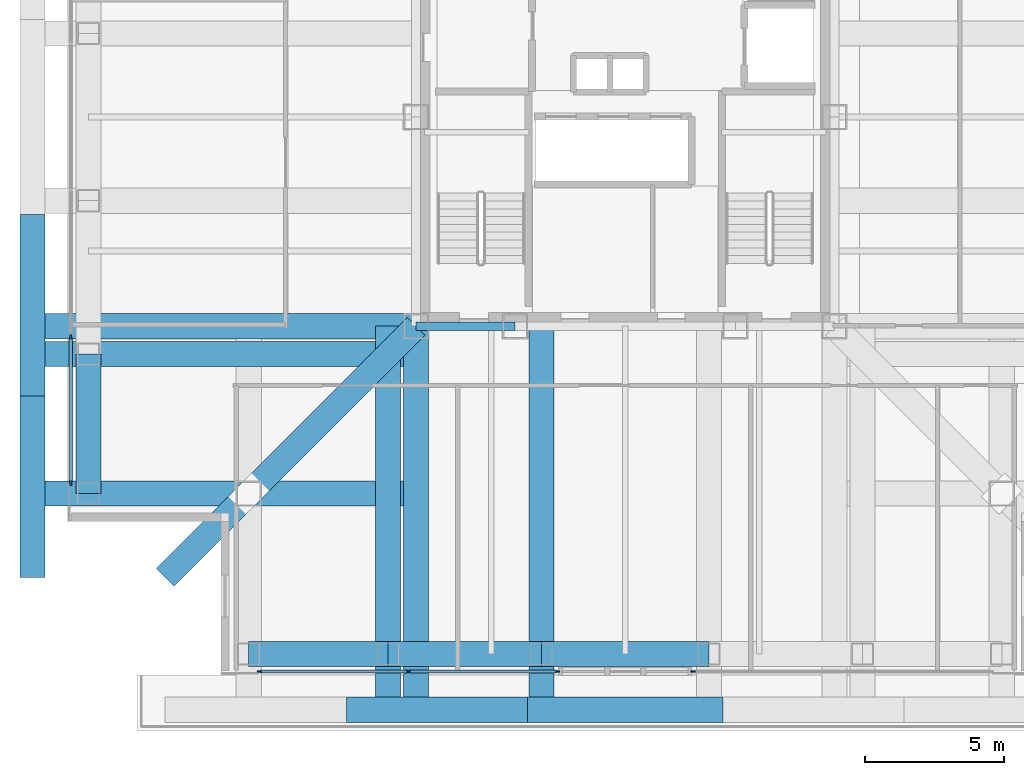
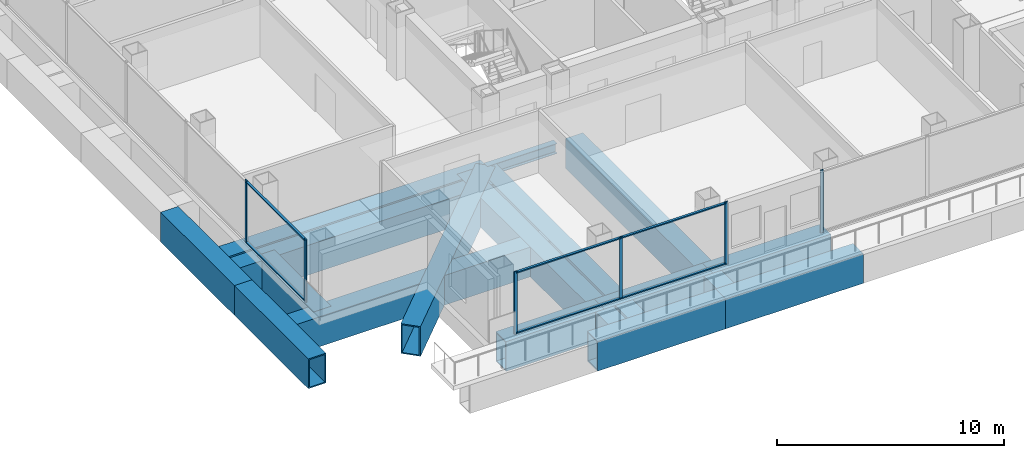
# One storey, part 2 of 14: 16 beams, 12 members, 3 elements without a shape of their own.
"""IFC4 building model written with IfcOpenShell, lengths in metres."""

from ifc_helpers import new_model, si_unit, direction, frame, origin, origin_2d, place, context, subcontext, project, spatial, rectangle, hollow_rectangle, i_section, extrude, material, layer, layer_set, material_profile, profile_set, type_object, element, aggregate, save


model = new_model("IFC4")

# Units and contexts
model_context = context("Model", 3, precision=1e-05, world=origin(), true_north=direction((0.0, 1.0)))
body_context = subcontext(model_context, "Body", "Model", "MODEL_VIEW")
ifc_project = project(units=[si_unit("LENGTHUNIT", "METRE"), si_unit("AREAUNIT", "SQUARE_METRE"), si_unit("VOLUMEUNIT", "CUBIC_METRE"), si_unit("PLANEANGLEUNIT", "RADIAN"), si_unit("MASSUNIT", "GRAM", prefix="KILO")], contexts=[model_context])

# Site, building, storey
site_placement = place(None, origin())
site = spatial("IfcSite", under=ifc_project, at=site_placement, CompositionType="ELEMENT")
building_placement = place(site_placement, origin())
building = spatial("IfcBuilding", under=site, at=building_placement, Name="Trevonay Congress Spire", CompositionType="ELEMENT")
storey_placement = place(building_placement, frame((0.0, 0.0, 166.199951171875)))
storey = spatial("IfcBuildingStorey", under=building, at=storey_placement, Name="L42", CompositionType="ELEMENT", Elevation=166.199951171875)

# Beams
ifc_material_1 = material(Name="Steel ASTM A572 Grade 50", Category="steel")
ifc_material_profile_1 = material_profile(ifc_material_1, i_section(OverallWidth=0.31201171875, OverallDepth=0.54296875, WebThickness=0.0126953125, FlangeThickness=0.020263671875, FilletRadius=0.014892578125, at=origin_2d()), Name="W530x150")
ifc_profile_set_1 = profile_set([ifc_material_profile_1], Name="Steel ASTM A572 Grade 50")
beam_type_1 = type_object("IfcBeamType", Name="BM-GIRD-W530X150", PredefinedType="BEAM", material=ifc_profile_set_1)
beam_1_placement = place(storey_placement, frame((-7.5, -7.5, -0.67138671875), z_axis=(1.0, 0.0, 0.0), x_axis=(0.0, 1.0, 0.0)))
element("IfcBeam", 1, at=beam_1_placement, inside=storey, type_object=beam_type_1, Name="L42 structural beam BM-L42-CR-S1", PredefinedType="BEAM", context=body_context, shape_type="SweptSolid", body=[
    extrude(i_section(OverallWidth=0.31201171875, OverallDepth=0.54296875, WebThickness=0.0126953125, FlangeThickness=0.020263671875, FilletRadius=0.014892578125, at=origin_2d()), origin(), (0.0, 0.0, 1.0), 3.550048828125),
])
ifc_material_profile_2 = material_profile(ifc_material_1, hollow_rectangle(XDim=0.89990234375, YDim=1.60009765625, WallThickness=0.06005859375, at=origin_2d()), Name="BOX 1600x900x60")
ifc_profile_set_2 = profile_set([ifc_material_profile_2], Name="Steel ASTM A572 Grade 50")
beam_type_2 = type_object("IfcBeamType", Name="BM-RING-BOX1600", PredefinedType="BEAM", material=ifc_profile_set_2)
for number, where, z_axis, x_axis, name in (
    (2, (-13.5, -19.25, -1.199951171875), (1.0, 0.0, 0.0), (0.0, 1.0, 0.0), "L42 structural beam BM-L42-PS1"),
    (3, (-19.25, -13.5, -1.199951171875), (0.0, 1.0, 0.0), (-1.0, 0.0, 0.0), "L42 structural beam BM-L42-PW1"),
):
    element("IfcBeam", number, at=place(storey_placement, frame(where, z_axis=z_axis, x_axis=x_axis)), inside=storey, type_object=beam_type_2, Name=name, PredefinedType="BEAM", context=body_context, shape_type="SweptSolid", body=[
        extrude(hollow_rectangle(XDim=0.89990234375, YDim=1.60009765625, WallThickness=0.06005859375, at=origin_2d()), origin(), (0.0, 0.0, 1.0), 5.0),
    ])
beam_2_placement = place(storey_placement, frame((-8.5, -19.25, -1.199951171875), z_axis=(1.0, 0.0, 0.0), x_axis=(0.0, 1.0, 0.0)))
element("IfcBeam", 4, at=beam_2_placement, inside=storey, type_object=beam_type_2, Name="L42 structural beam BM-L42-PS2", PredefinedType="BEAM", context=body_context, shape_type="SweptSolid", body=[
    extrude(hollow_rectangle(XDim=0.89990234375, YDim=1.60009765625, WallThickness=0.06005859375, at=origin_2d()), origin(), (0.0, 0.0, 1.0), 5.5),
])
beam_3_placement = place(storey_placement, frame((-3.0, -19.25, -1.199951171875), z_axis=(1.0, 0.0, 0.0), x_axis=(0.0, 1.0, 0.0)))
element("IfcBeam", 5, at=beam_3_placement, inside=storey, type_object=beam_type_2, Name="L42 structural beam BM-L42-PS3", PredefinedType="BEAM", context=body_context, shape_type="SweptSolid", body=[
    extrude(hollow_rectangle(XDim=0.89990234375, YDim=1.60009765625, WallThickness=0.06005859375, at=origin_2d()), origin(), (0.0, 0.0, 1.0), 6.0),
])
for number, where, z_axis, x_axis, name in (
    (6, (-21.25, -16.5, -1.199951171875), (0.0, 1.0, 0.0), (-1.0, 0.0, 0.0), "L42 structural beam XOUT-L42-W0"),
    (7, (-10.0, -21.25, -1.199951171875), (1.0, 0.0, 0.0), (0.0, 1.0, 0.0), "L42 structural beam XOUT-L42-S1"),
    (8, (-21.25, -10.0, -1.199951171875), (0.0, 1.0, 0.0), (-1.0, 0.0, 0.0), "L42 structural beam XOUT-L42-W1"),
):
    element("IfcBeam", number, at=place(storey_placement, frame(where, z_axis=z_axis, x_axis=x_axis)), inside=storey, type_object=beam_type_2, Name=name, PredefinedType="BEAM", context=body_context, shape_type="SweptSolid", body=[
        extrude(hollow_rectangle(XDim=0.89990234375, YDim=1.60009765625, WallThickness=0.06005859375, at=origin_2d()), origin(), (0.0, 0.0, 1.0), 6.5),
    ])
beam_4_placement = place(storey_placement, frame((-3.5, -21.25, -1.199951171875), z_axis=(1.0, 0.0, 0.0), x_axis=(0.0, 1.0, 0.0)))
element("IfcBeam", 9, at=beam_4_placement, inside=storey, type_object=beam_type_2, Name="L42 structural beam XOUT-L42-S2", PredefinedType="BEAM", context=body_context, shape_type="SweptSolid", body=[
    extrude(hollow_rectangle(XDim=0.89990234375, YDim=1.60009765625, WallThickness=0.06005859375, at=origin_2d()), origin(), (0.0, 0.0, 1.0), 7.0),
])
ifc_material_profile_3 = material_profile(ifc_material_1, hollow_rectangle(XDim=0.89990234375, YDim=1.60009765625, WallThickness=0.06005859375, at=origin_2d()), Name="BOX 1600x900x60")
ifc_profile_set_3 = profile_set([ifc_material_profile_3], Name="Steel ASTM A572 Grade 50")
beam_type_3 = type_object("IfcBeamType", Name="BM-XFER-BOX1600", PredefinedType="BEAM", material=ifc_profile_set_3)
beam_5_placement = place(storey_placement, frame((-7.5, -7.5, -1.199951171875), z_axis=(-0.707106781187, -0.707106781187, 0.0), x_axis=(0.707106781187, -0.707106781187, 0.0)))
element("IfcBeam", 10, at=beam_5_placement, inside=storey, type_object=beam_type_3, Name="L42 structural beam BM-L42-CDSW", PredefinedType="BEAM", context=body_context, shape_type="SweptSolid", body=[
    extrude(hollow_rectangle(XDim=0.89990234375, YDim=1.60009765625, WallThickness=0.06005859375, at=origin_2d()), origin(), (0.0, 0.0, 1.0), 12.72802734375),
])
for number, where, z_axis, x_axis, name in (
    (11, (-7.5, -7.5, -1.199951171875), (-1.0, 0.0, 0.0), (0.0, -1.0, 0.0), "L42 structural beam XSPN-L42-CX-SW"),
    (12, (-7.5, -7.5, -1.199951171875), (0.0, -1.0, 0.0), (1.0, 0.0, 0.0), "L42 structural beam XSPN-L42-CY-SW"),
    (13, (-7.5, -13.5, -1.199951171875), (-1.0, 0.0, 0.0), (0.0, -1.0, 0.0), "L42 structural beam XFER-L42-W0"),
    (14, (-8.5, -7.5, -1.199951171875), (0.0, -1.0, 0.0), (1.0, 0.0, 0.0), "L42 structural beam XFER-L42-S1"),
    (15, (-7.5, -8.5, -1.199951171875), (-1.0, 0.0, 0.0), (0.0, -1.0, 0.0), "L42 structural beam XFER-L42-W1"),
    (16, (-3.0, -7.5, -1.199951171875), (0.0, -1.0, 0.0), (1.0, 0.0, 0.0), "L42 structural beam XFER-L42-S2"),
):
    element("IfcBeam", number, at=place(storey_placement, frame(where, z_axis=z_axis, x_axis=x_axis)), inside=storey, type_object=beam_type_3, Name=name, PredefinedType="BEAM", context=body_context, shape_type="SweptSolid", body=[
        extrude(hollow_rectangle(XDim=0.89990234375, YDim=1.60009765625, WallThickness=0.06005859375, at=origin_2d()), origin(), (0.0, 0.0, 1.0), 13.75),
    ])

# Curtain wall, members
ifc_material_2 = material(Name="Pale Anodised Aluminium EN AW-6063-T6", Category="aluminium")
ifc_layer = layer(ifc_material_2, 0.169921875, Name="Pale Anodised Aluminium EN AW-6063-T6")
ifc_layer_set = layer_set([ifc_layer], Name="Pale Anodised Aluminium EN AW-6063-T6")
curtain_wall_type = type_object("IfcCurtainWallType", Name="CW-SYS04-CORP-PALE-METAL", PredefinedType="NOTDEFINED", material=ifc_layer_set)
curtain_wall_1_placement = place(storey_placement, origin())
curtain_wall_1 = element("IfcCurtainWall", 17, at=curtain_wall_1_placement, inside=storey, type_object=curtain_wall_type, Name="L42 SA unitised curtain wall", PredefinedType="NOTDEFINED")
ifc_material_profile_4 = material_profile(ifc_material_2, rectangle(XDim=0.06005859375, YDim=0.159912109375, at=origin_2d()), Name="CW-MULLION-160-ALUMINIUM")
ifc_profile_set_4 = profile_set([ifc_material_profile_4], Name="Pale Anodised Aluminium EN AW-6063-T6")
member_type_1 = type_object("IfcMemberType", Name="CW-MULLION-160-ALUMINIUM", PredefinedType="MULLION", material=ifc_profile_set_4)
member_1_placement = place(storey_placement, frame((-13.1201171875, -19.8798828125, 0.0), z_axis=(0.0, 0.0, 1.0), x_axis=(0.0, 1.0, 0.0)))
member_1 = element("IfcMember", 18, at=member_1_placement, type_object=member_type_1, Name="CW04 mullion 1", PredefinedType="MULLION", context=body_context, shape_type="SweptSolid", body=[
    extrude(rectangle(XDim=0.06005859375, YDim=0.159912109375, at=origin_2d()), origin(), (0.0, 0.0, 1.0), 3.360107421875),
])
member_2_placement = place(storey_placement, frame((-7.77490234375, -19.8798828125, 0.0), z_axis=(0.0, 0.0, 1.0), x_axis=(0.0, 1.0, 0.0)))
member_2 = element("IfcMember", 19, at=member_2_placement, type_object=member_type_1, Name="CW04 mullion 2", PredefinedType="MULLION", context=body_context, shape_type="SweptSolid", body=[
    extrude(rectangle(XDim=0.06005859375, YDim=0.159912109375, at=origin_2d()), origin(), (0.0, 0.0, 1.0), 3.360107421875),
])
member_3_placement = place(storey_placement, frame((-2.429931640625, -19.8798828125, 0.0), z_axis=(0.0, 0.0, 1.0), x_axis=(0.0, 1.0, 0.0)))
member_3 = element("IfcMember", 20, at=member_3_placement, type_object=member_type_1, Name="CW04 mullion 3", PredefinedType="MULLION", context=body_context, shape_type="SweptSolid", body=[
    extrude(rectangle(XDim=0.06005859375, YDim=0.159912109375, at=origin_2d()), origin(), (0.0, 0.0, 1.0), 3.360107421875),
])

# Curtain wall, member
curtain_wall_2_placement = place(storey_placement, origin())
curtain_wall_2 = element("IfcCurtainWall", 21, at=curtain_wall_2_placement, inside=storey, type_object=curtain_wall_type, Name="L42 SB unitised curtain wall", PredefinedType="NOTDEFINED")
member_4_placement = place(storey_placement, frame((2.429931640625, -19.8798828125, 0.0), z_axis=(0.0, 0.0, 1.0), x_axis=(0.0, 1.0, 0.0)))
member_4 = element("IfcMember", 22, at=member_4_placement, type_object=member_type_1, Name="CW04 mullion 1", PredefinedType="MULLION", context=body_context, shape_type="SweptSolid", body=[
    extrude(rectangle(XDim=0.06005859375, YDim=0.159912109375, at=origin_2d()), origin(), (0.0, 0.0, 1.0), 3.360107421875),
])
aggregate(curtain_wall_2, [member_4])

# Curtain wall, members
curtain_wall_3_placement = place(storey_placement, origin())
curtain_wall_3 = element("IfcCurtainWall", 23, at=curtain_wall_3_placement, inside=storey, type_object=curtain_wall_type, Name="L42 W unitised curtain wall", PredefinedType="NOTDEFINED")
member_5_placement = place(storey_placement, frame((-19.8798828125, -13.1201171875, 0.0), z_axis=(0.0, 0.0, 1.0), x_axis=(-1.0, 0.0, 0.0)))
member_5 = element("IfcMember", 24, at=member_5_placement, type_object=member_type_1, Name="CW04 mullion 1", PredefinedType="MULLION", context=body_context, shape_type="SweptSolid", body=[
    extrude(rectangle(XDim=0.06005859375, YDim=0.159912109375, at=origin_2d()), origin(), (0.0, 0.0, 1.0), 3.360107421875),
])
member_6_placement = place(storey_placement, frame((-19.8798828125, -7.889892578125, 0.0), z_axis=(0.0, 0.0, 1.0), x_axis=(-1.0, 0.0, 0.0)))
member_6 = element("IfcMember", 25, at=member_6_placement, type_object=member_type_1, Name="CW04 mullion 2", PredefinedType="MULLION", context=body_context, shape_type="SweptSolid", body=[
    extrude(rectangle(XDim=0.06005859375, YDim=0.159912109375, at=origin_2d()), origin(), (0.0, 0.0, 1.0), 3.360107421875),
])

# Member
ifc_material_profile_5 = material_profile(ifc_material_2, rectangle(XDim=0.1201171875, YDim=0.06005859375, at=origin_2d()), Name="CW-TRANSOM-120-ALUMINIUM")
ifc_profile_set_5 = profile_set([ifc_material_profile_5], Name="Pale Anodised Aluminium EN AW-6063-T6")
member_type_2 = type_object("IfcMemberType", Name="CW-TRANSOM-120-ALUMINIUM", PredefinedType="USERDEFINED", material=ifc_profile_set_5)
member_7_placement = place(storey_placement, frame((-13.090087890625, -19.8798828125, 0.06005859375), z_axis=(1.0, 0.0, 0.0), x_axis=(0.0, 1.0, 0.0)))
member_7 = element("IfcMember", 26, at=member_7_placement, type_object=member_type_2, Name="CW04 transom 1.1", ObjectType="TRANSOM", PredefinedType="USERDEFINED", context=body_context, shape_type="SweptSolid", body=[
    extrude(rectangle(XDim=0.1201171875, YDim=0.06005859375, at=origin_2d()), origin(), (0.0, 0.0, 1.0), 5.28515625),
])

member_8_placement = place(storey_placement, frame((-13.090087890625, -19.8798828125, 3.300048828125), z_axis=(1.0, 0.0, 0.0), x_axis=(0.0, 1.0, 0.0)))
member_8 = element("IfcMember", 27, at=member_8_placement, type_object=member_type_2, Name="CW04 transom 1.2", ObjectType="TRANSOM", PredefinedType="USERDEFINED", context=body_context, shape_type="SweptSolid", body=[
    extrude(rectangle(XDim=0.1201171875, YDim=0.06005859375, at=origin_2d()), origin(), (0.0, 0.0, 1.0), 5.28515625),
])

member_9_placement = place(storey_placement, frame((-7.7451171875, -19.8798828125, 0.06005859375), z_axis=(1.0, 0.0, 0.0), x_axis=(0.0, 1.0, 0.0)))
member_9 = element("IfcMember", 28, at=member_9_placement, type_object=member_type_2, Name="CW04 transom 2.1", ObjectType="TRANSOM", PredefinedType="USERDEFINED", context=body_context, shape_type="SweptSolid", body=[
    extrude(rectangle(XDim=0.1201171875, YDim=0.06005859375, at=origin_2d()), origin(), (0.0, 0.0, 1.0), 5.28515625),
])

member_10_placement = place(storey_placement, frame((-7.7451171875, -19.8798828125, 3.300048828125), z_axis=(1.0, 0.0, 0.0), x_axis=(0.0, 1.0, 0.0)))
member_10 = element("IfcMember", 29, at=member_10_placement, type_object=member_type_2, Name="CW04 transom 2.2", ObjectType="TRANSOM", PredefinedType="USERDEFINED", context=body_context, shape_type="SweptSolid", body=[
    extrude(rectangle(XDim=0.1201171875, YDim=0.06005859375, at=origin_2d()), origin(), (0.0, 0.0, 1.0), 5.28515625),
])

aggregate(curtain_wall_1, [member_1, member_2, member_3, member_7, member_8, member_9, member_10])

member_11_placement = place(storey_placement, frame((-19.8798828125, -13.090087890625, 0.06005859375), z_axis=(0.0, 1.0, 0.0), x_axis=(-1.0, 0.0, 0.0)))
member_11 = element("IfcMember", 30, at=member_11_placement, type_object=member_type_2, Name="CW04 transom 1.1", ObjectType="TRANSOM", PredefinedType="USERDEFINED", context=body_context, shape_type="SweptSolid", body=[
    extrude(rectangle(XDim=0.1201171875, YDim=0.06005859375, at=origin_2d()), origin(), (0.0, 0.0, 1.0), 5.170166015625),
])

member_12_placement = place(storey_placement, frame((-19.8798828125, -13.090087890625, 3.300048828125), z_axis=(0.0, 1.0, 0.0), x_axis=(-1.0, 0.0, 0.0)))
member_12 = element("IfcMember", 31, at=member_12_placement, type_object=member_type_2, Name="CW04 transom 1.2", ObjectType="TRANSOM", PredefinedType="USERDEFINED", context=body_context, shape_type="SweptSolid", body=[
    extrude(rectangle(XDim=0.1201171875, YDim=0.06005859375, at=origin_2d()), origin(), (0.0, 0.0, 1.0), 5.170166015625),
])

aggregate(curtain_wall_3, [member_5, member_6, member_11, member_12])

save(model, "model.ifc")
